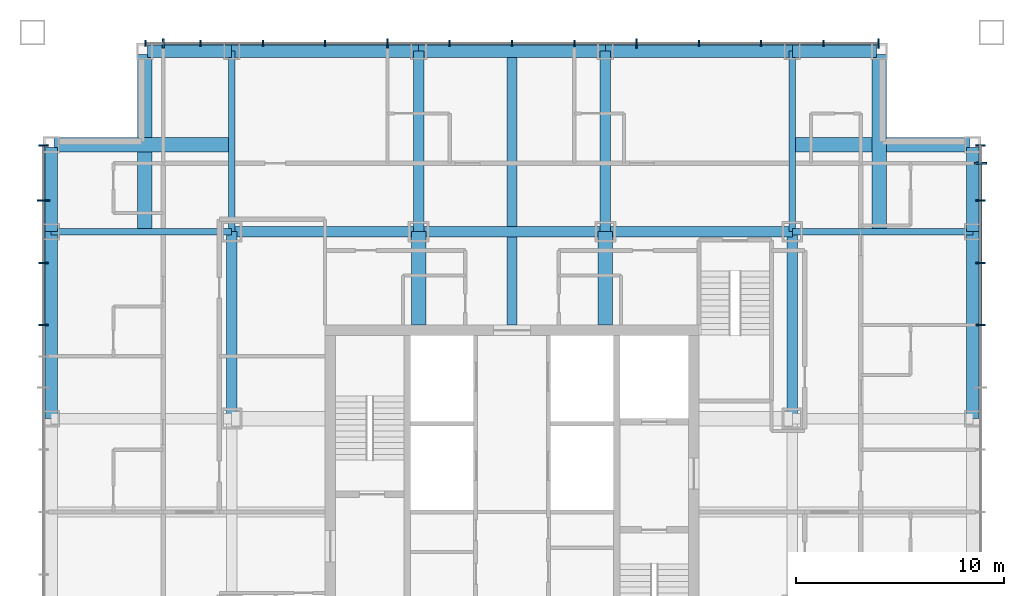
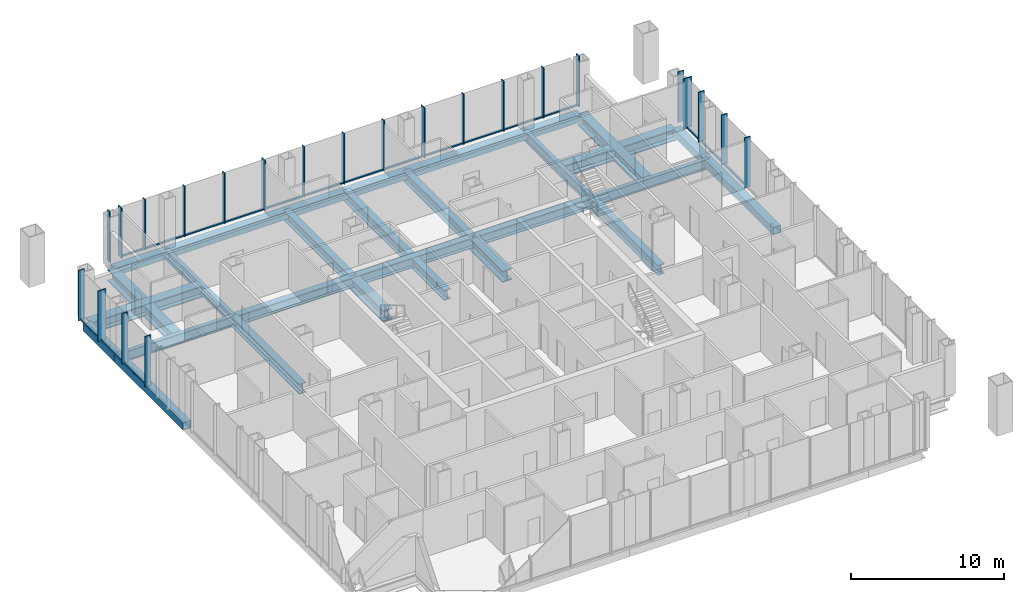
# One storey, part 4 of 11: 41 members, 27 beams, 3 elements without a shape of their own.
"""IFC4 building model written with IfcOpenShell, lengths in metres."""

from ifc_helpers import new_model, si_unit, direction, frame, origin, origin_2d, place, context, subcontext, project, spatial, rectangle, hollow_rectangle, i_section, extrude, material, layer, layer_set, material_profile, profile_set, type_object, element, aggregate, save


model = new_model("IFC4")

# Units and contexts
model_context = context("Model", 3, precision=1e-05, world=origin(), true_north=direction((0.0, 1.0)))
body_context = subcontext(model_context, "Body", "Model", "MODEL_VIEW")
ifc_project = project(units=[si_unit("LENGTHUNIT", "METRE"), si_unit("AREAUNIT", "SQUARE_METRE"), si_unit("VOLUMEUNIT", "CUBIC_METRE"), si_unit("PLANEANGLEUNIT", "RADIAN"), si_unit("MASSUNIT", "GRAM", prefix="KILO")], contexts=[model_context])

# Site, building, storey
site_placement = place(None, origin())
site = spatial("IfcSite", under=ifc_project, at=site_placement, CompositionType="ELEMENT")
building_placement = place(site_placement, origin())
building = spatial("IfcBuilding", under=site, at=building_placement, Name="Malebo Sky Hospital", CompositionType="ELEMENT")
storey_placement = place(building_placement, frame((0.0, 0.0, 213.0)))
storey = spatial("IfcBuildingStorey", under=building, at=storey_placement, Name="L51", CompositionType="ELEMENT", Elevation=213.0)

# Curtain wall, members
ifc_material_1 = material(Name="Anodised aluminium, natural silver", Category="aluminium")
ifc_layer_1 = layer(ifc_material_1, 0.25)
ifc_layer_set_1 = layer_set([ifc_layer_1], Name="WARD CURTAIN WALL NORTH AND SOUTH")
curtain_wall_type_1 = type_object("IfcCurtainWallType", Name="WARD CURTAIN WALL NORTH AND SOUTH", PredefinedType="NOTDEFINED", material=ifc_layer_set_1)
curtain_wall_1_placement = place(storey_placement, origin())
curtain_wall_1 = element("IfcCurtainWall", 1, at=curtain_wall_1_placement, inside=storey, type_object=curtain_wall_type_1, Name="NS curtain wall N", PredefinedType="NOTDEFINED")
ifc_material_profile_1 = material_profile(ifc_material_1, rectangle(XDim=0.14990234375, YDim=0.10009765625, at=origin_2d()), Name="ALUMINIUM TRANSOM 150x100")
ifc_profile_set_1 = profile_set([ifc_material_profile_1], Name="Anodised aluminium, natural silver")
member_type_1 = type_object("IfcMemberType", Name="ALUMINIUM TRANSOM 150x100", PredefinedType="USERDEFINED", material=ifc_profile_set_1)
member_1_placement = place(storey_placement, frame((43.237548828125, 84.574951171875, 0.050048828125), z_axis=(1.0, 0.0, 0.0), x_axis=(0.0, 1.0, 0.0)))
member_1 = element("IfcMember", 2, at=member_1_placement, type_object=member_type_1, Name="Transom 2", ObjectType="TRANSOM", PredefinedType="USERDEFINED", context=body_context, shape_type="SweptSolid", body=[
    extrude(rectangle(XDim=0.14990234375, YDim=0.10009765625, at=origin_2d()), origin(), (0.0, 0.0, 1.0), 1.724853515625),
])
member_2_placement = place(storey_placement, frame((45.03759765625, 84.574951171875, 0.050048828125), z_axis=(1.0, 0.0, 0.0), x_axis=(0.0, 1.0, 0.0)))
member_2 = element("IfcMember", 3, at=member_2_placement, type_object=member_type_1, Name="Transom 3", ObjectType="TRANSOM", PredefinedType="USERDEFINED", context=body_context, shape_type="SweptSolid", body=[
    extrude(rectangle(XDim=0.14990234375, YDim=0.10009765625, at=origin_2d()), origin(), (0.0, 0.0, 1.0), 2.9248046875),
])
member_3_placement = place(storey_placement, frame((48.03759765625, 84.574951171875, 0.050048828125), z_axis=(1.0, 0.0, 0.0), x_axis=(0.0, 1.0, 0.0)))
member_3 = element("IfcMember", 4, at=member_3_placement, type_object=member_type_1, Name="Transom 4", ObjectType="TRANSOM", PredefinedType="USERDEFINED", context=body_context, shape_type="SweptSolid", body=[
    extrude(rectangle(XDim=0.14990234375, YDim=0.10009765625, at=origin_2d()), origin(), (0.0, 0.0, 1.0), 2.9248046875),
])
member_4_placement = place(storey_placement, frame((51.03759765625, 84.574951171875, 0.050048828125), z_axis=(1.0, 0.0, 0.0), x_axis=(0.0, 1.0, 0.0)))
member_4 = element("IfcMember", 5, at=member_4_placement, type_object=member_type_1, Name="Transom 5", ObjectType="TRANSOM", PredefinedType="USERDEFINED", context=body_context, shape_type="SweptSolid", body=[
    extrude(rectangle(XDim=0.14990234375, YDim=0.10009765625, at=origin_2d()), origin(), (0.0, 0.0, 1.0), 2.9248046875),
])
member_5_placement = place(storey_placement, frame((54.03759765625, 84.574951171875, 0.050048828125), z_axis=(1.0, 0.0, 0.0), x_axis=(0.0, 1.0, 0.0)))
member_5 = element("IfcMember", 6, at=member_5_placement, type_object=member_type_1, Name="Transom 6", ObjectType="TRANSOM", PredefinedType="USERDEFINED", context=body_context, shape_type="SweptSolid", body=[
    extrude(rectangle(XDim=0.14990234375, YDim=0.10009765625, at=origin_2d()), origin(), (0.0, 0.0, 1.0), 2.9248046875),
])
member_6_placement = place(storey_placement, frame((57.03759765625, 84.574951171875, 0.050048828125), z_axis=(1.0, 0.0, 0.0), x_axis=(0.0, 1.0, 0.0)))
member_6 = element("IfcMember", 7, at=member_6_placement, type_object=member_type_1, Name="Transom 7", ObjectType="TRANSOM", PredefinedType="USERDEFINED", context=body_context, shape_type="SweptSolid", body=[
    extrude(rectangle(XDim=0.14990234375, YDim=0.10009765625, at=origin_2d()), origin(), (0.0, 0.0, 1.0), 2.9248046875),
])
member_7_placement = place(storey_placement, frame((60.03759765625, 84.574951171875, 0.050048828125), z_axis=(1.0, 0.0, 0.0), x_axis=(0.0, 1.0, 0.0)))
member_7 = element("IfcMember", 8, at=member_7_placement, type_object=member_type_1, Name="Transom 8", ObjectType="TRANSOM", PredefinedType="USERDEFINED", context=body_context, shape_type="SweptSolid", body=[
    extrude(rectangle(XDim=0.14990234375, YDim=0.10009765625, at=origin_2d()), origin(), (0.0, 0.0, 1.0), 2.9248046875),
])
member_8_placement = place(storey_placement, frame((63.03759765625, 84.574951171875, 0.050048828125), z_axis=(1.0, 0.0, 0.0), x_axis=(0.0, 1.0, 0.0)))
member_8 = element("IfcMember", 9, at=member_8_placement, type_object=member_type_1, Name="Transom 9", ObjectType="TRANSOM", PredefinedType="USERDEFINED", context=body_context, shape_type="SweptSolid", body=[
    extrude(rectangle(XDim=0.14990234375, YDim=0.10009765625, at=origin_2d()), origin(), (0.0, 0.0, 1.0), 2.9248046875),
])
member_9_placement = place(storey_placement, frame((66.03759765625, 84.574951171875, 0.050048828125), z_axis=(1.0, 0.0, 0.0), x_axis=(0.0, 1.0, 0.0)))
member_9 = element("IfcMember", 10, at=member_9_placement, type_object=member_type_1, Name="Transom 10", ObjectType="TRANSOM", PredefinedType="USERDEFINED", context=body_context, shape_type="SweptSolid", body=[
    extrude(rectangle(XDim=0.14990234375, YDim=0.10009765625, at=origin_2d()), origin(), (0.0, 0.0, 1.0), 2.9248046875),
])
member_10_placement = place(storey_placement, frame((69.03759765625, 84.574951171875, 0.050048828125), z_axis=(1.0, 0.0, 0.0), x_axis=(0.0, 1.0, 0.0)))
member_10 = element("IfcMember", 11, at=member_10_placement, type_object=member_type_1, Name="Transom 11", ObjectType="TRANSOM", PredefinedType="USERDEFINED", context=body_context, shape_type="SweptSolid", body=[
    extrude(rectangle(XDim=0.14990234375, YDim=0.10009765625, at=origin_2d()), origin(), (0.0, 0.0, 1.0), 2.9248046875),
])
member_11_placement = place(storey_placement, frame((72.03759765625, 84.574951171875, 0.050048828125), z_axis=(1.0, 0.0, 0.0), x_axis=(0.0, 1.0, 0.0)))
member_11 = element("IfcMember", 12, at=member_11_placement, type_object=member_type_1, Name="Transom 12", ObjectType="TRANSOM", PredefinedType="USERDEFINED", context=body_context, shape_type="SweptSolid", body=[
    extrude(rectangle(XDim=0.14990234375, YDim=0.10009765625, at=origin_2d()), origin(), (0.0, 0.0, 1.0), 2.9248046875),
])
member_12_placement = place(storey_placement, frame((75.03759765625, 84.574951171875, 0.050048828125), z_axis=(1.0, 0.0, 0.0), x_axis=(0.0, 1.0, 0.0)))
member_12 = element("IfcMember", 13, at=member_12_placement, type_object=member_type_1, Name="Transom 13", ObjectType="TRANSOM", PredefinedType="USERDEFINED", context=body_context, shape_type="SweptSolid", body=[
    extrude(rectangle(XDim=0.14990234375, YDim=0.10009765625, at=origin_2d()), origin(), (0.0, 0.0, 1.0), 2.58740234375),
])

ifc_layer_2 = layer(ifc_material_1, 0.25)
ifc_layer_set_2 = layer_set([ifc_layer_2], Name="WARD CURTAIN WALL EAST AND WEST")
curtain_wall_type_2 = type_object("IfcCurtainWallType", Name="WARD CURTAIN WALL EAST AND WEST", PredefinedType="NOTDEFINED", material=ifc_layer_set_2)
curtain_wall_2_placement = place(storey_placement, origin())
curtain_wall_2 = element("IfcCurtainWall", 14, at=curtain_wall_2_placement, inside=storey, type_object=curtain_wall_type_2, Name="EW curtain wall W", PredefinedType="NOTDEFINED")
member_13_placement = place(storey_placement, frame((37.425048828125, 71.03759765625, 0.050048828125), z_axis=(0.0, 1.0, 0.0), x_axis=(-1.0, 0.0, 0.0)))
member_13 = element("IfcMember", 15, at=member_13_placement, type_object=member_type_1, Name="Transom 12", ObjectType="TRANSOM", PredefinedType="USERDEFINED", context=body_context, shape_type="SweptSolid", body=[
    extrude(rectangle(XDim=0.14990234375, YDim=0.10009765625, at=origin_2d()), origin(), (0.0, 0.0, 1.0), 2.9248046875),
])
member_14_placement = place(storey_placement, frame((37.425048828125, 74.03759765625, 0.050048828125), z_axis=(0.0, 1.0, 0.0), x_axis=(-1.0, 0.0, 0.0)))
member_14 = element("IfcMember", 16, at=member_14_placement, type_object=member_type_1, Name="Transom 13", ObjectType="TRANSOM", PredefinedType="USERDEFINED", context=body_context, shape_type="SweptSolid", body=[
    extrude(rectangle(XDim=0.14990234375, YDim=0.10009765625, at=origin_2d()), origin(), (0.0, 0.0, 1.0), 2.9248046875),
])
member_15_placement = place(storey_placement, frame((37.425048828125, 77.03759765625, 0.050048828125), z_axis=(0.0, 1.0, 0.0), x_axis=(-1.0, 0.0, 0.0)))
member_15 = element("IfcMember", 17, at=member_15_placement, type_object=member_type_1, Name="Transom 14", ObjectType="TRANSOM", PredefinedType="USERDEFINED", context=body_context, shape_type="SweptSolid", body=[
    extrude(rectangle(XDim=0.14990234375, YDim=0.10009765625, at=origin_2d()), origin(), (0.0, 0.0, 1.0), 2.58740234375),
])

curtain_wall_3_placement = place(storey_placement, origin())
curtain_wall_3 = element("IfcCurtainWall", 18, at=curtain_wall_3_placement, inside=storey, type_object=curtain_wall_type_2, Name="EW curtain wall E", PredefinedType="NOTDEFINED")
member_16_placement = place(storey_placement, frame((82.574951171875, 78.762451171875, 0.050048828125), z_axis=(0.0, -1.0, 0.0), x_axis=(1.0, 0.0, 0.0)))
member_16 = element("IfcMember", 19, at=member_16_placement, type_object=member_type_1, Name="Transom 2", ObjectType="TRANSOM", PredefinedType="USERDEFINED", context=body_context, shape_type="SweptSolid", body=[
    extrude(rectangle(XDim=0.14990234375, YDim=0.10009765625, at=origin_2d()), origin(), (0.0, 0.0, 1.0), 1.724853515625),
])
member_17_placement = place(storey_placement, frame((82.574951171875, 76.96240234375, 0.050048828125), z_axis=(0.0, -1.0, 0.0), x_axis=(1.0, 0.0, 0.0)))
member_17 = element("IfcMember", 20, at=member_17_placement, type_object=member_type_1, Name="Transom 3", ObjectType="TRANSOM", PredefinedType="USERDEFINED", context=body_context, shape_type="SweptSolid", body=[
    extrude(rectangle(XDim=0.14990234375, YDim=0.10009765625, at=origin_2d()), origin(), (0.0, 0.0, 1.0), 2.9248046875),
])
member_18_placement = place(storey_placement, frame((82.574951171875, 73.96240234375, 0.050048828125), z_axis=(0.0, -1.0, 0.0), x_axis=(1.0, 0.0, 0.0)))
member_18 = element("IfcMember", 21, at=member_18_placement, type_object=member_type_1, Name="Transom 4", ObjectType="TRANSOM", PredefinedType="USERDEFINED", context=body_context, shape_type="SweptSolid", body=[
    extrude(rectangle(XDim=0.14990234375, YDim=0.10009765625, at=origin_2d()), origin(), (0.0, 0.0, 1.0), 2.9248046875),
])

# Member
ifc_material_profile_2 = material_profile(ifc_material_1, rectangle(XDim=0.074951171875, YDim=0.300048828125, at=origin_2d()), Name="CW1 ALUMINIUM FIN MULLION 75x300")
ifc_profile_set_2 = profile_set([ifc_material_profile_2], Name="Anodised aluminium, natural silver")
member_type_2 = type_object("IfcMemberType", Name="CW1 ALUMINIUM FIN MULLION 75x300", PredefinedType="MULLION", material=ifc_profile_set_2)
member_19_placement = place(storey_placement, frame((42.33740234375, 84.574951171875, 0.0), z_axis=(0.0, 0.0, 1.0), x_axis=(1.0, 0.0, 0.0)))
member_19 = element("IfcMember", 22, at=member_19_placement, type_object=member_type_2, Name="Fin mullion 1", PredefinedType="MULLION", context=body_context, shape_type="SweptSolid", body=[
    extrude(rectangle(XDim=0.074951171875, YDim=0.300048828125, at=origin_2d()), origin(), (0.0, 0.0, 1.0), 4.0),
])

member_20_placement = place(storey_placement, frame((45.0, 84.574951171875, 0.0), z_axis=(0.0, 0.0, 1.0), x_axis=(1.0, 0.0, 0.0)))
member_20 = element("IfcMember", 23, at=member_20_placement, type_object=member_type_2, Name="Fin mullion 3", PredefinedType="MULLION", context=body_context, shape_type="SweptSolid", body=[
    extrude(rectangle(XDim=0.074951171875, YDim=0.300048828125, at=origin_2d()), origin(), (0.0, 0.0, 1.0), 4.0),
])

member_21_placement = place(storey_placement, frame((48.0, 84.574951171875, 0.0), z_axis=(0.0, 0.0, 1.0), x_axis=(1.0, 0.0, 0.0)))
member_21 = element("IfcMember", 24, at=member_21_placement, type_object=member_type_2, Name="Fin mullion 4", PredefinedType="MULLION", context=body_context, shape_type="SweptSolid", body=[
    extrude(rectangle(XDim=0.074951171875, YDim=0.300048828125, at=origin_2d()), origin(), (0.0, 0.0, 1.0), 4.0),
])

member_22_placement = place(storey_placement, frame((51.0, 84.574951171875, 0.0), z_axis=(0.0, 0.0, 1.0), x_axis=(1.0, 0.0, 0.0)))
member_22 = element("IfcMember", 25, at=member_22_placement, type_object=member_type_2, Name="Fin mullion 5", PredefinedType="MULLION", context=body_context, shape_type="SweptSolid", body=[
    extrude(rectangle(XDim=0.074951171875, YDim=0.300048828125, at=origin_2d()), origin(), (0.0, 0.0, 1.0), 4.0),
])

member_23_placement = place(storey_placement, frame((57.0, 84.574951171875, 0.0), z_axis=(0.0, 0.0, 1.0), x_axis=(1.0, 0.0, 0.0)))
member_23 = element("IfcMember", 26, at=member_23_placement, type_object=member_type_2, Name="Fin mullion 7", PredefinedType="MULLION", context=body_context, shape_type="SweptSolid", body=[
    extrude(rectangle(XDim=0.074951171875, YDim=0.300048828125, at=origin_2d()), origin(), (0.0, 0.0, 1.0), 4.0),
])

member_24_placement = place(storey_placement, frame((60.0, 84.574951171875, 0.0), z_axis=(0.0, 0.0, 1.0), x_axis=(1.0, 0.0, 0.0)))
member_24 = element("IfcMember", 27, at=member_24_placement, type_object=member_type_2, Name="Fin mullion 8", PredefinedType="MULLION", context=body_context, shape_type="SweptSolid", body=[
    extrude(rectangle(XDim=0.074951171875, YDim=0.300048828125, at=origin_2d()), origin(), (0.0, 0.0, 1.0), 4.0),
])

member_25_placement = place(storey_placement, frame((63.0, 84.574951171875, 0.0), z_axis=(0.0, 0.0, 1.0), x_axis=(1.0, 0.0, 0.0)))
member_25 = element("IfcMember", 28, at=member_25_placement, type_object=member_type_2, Name="Fin mullion 9", PredefinedType="MULLION", context=body_context, shape_type="SweptSolid", body=[
    extrude(rectangle(XDim=0.074951171875, YDim=0.300048828125, at=origin_2d()), origin(), (0.0, 0.0, 1.0), 4.0),
])

member_26_placement = place(storey_placement, frame((69.0, 84.574951171875, 0.0), z_axis=(0.0, 0.0, 1.0), x_axis=(1.0, 0.0, 0.0)))
member_26 = element("IfcMember", 29, at=member_26_placement, type_object=member_type_2, Name="Fin mullion 11", PredefinedType="MULLION", context=body_context, shape_type="SweptSolid", body=[
    extrude(rectangle(XDim=0.074951171875, YDim=0.300048828125, at=origin_2d()), origin(), (0.0, 0.0, 1.0), 4.0),
])

member_27_placement = place(storey_placement, frame((72.0, 84.574951171875, 0.0), z_axis=(0.0, 0.0, 1.0), x_axis=(1.0, 0.0, 0.0)))
member_27 = element("IfcMember", 30, at=member_27_placement, type_object=member_type_2, Name="Fin mullion 12", PredefinedType="MULLION", context=body_context, shape_type="SweptSolid", body=[
    extrude(rectangle(XDim=0.074951171875, YDim=0.300048828125, at=origin_2d()), origin(), (0.0, 0.0, 1.0), 4.0),
])

member_28_placement = place(storey_placement, frame((75.0, 84.574951171875, 0.0), z_axis=(0.0, 0.0, 1.0), x_axis=(1.0, 0.0, 0.0)))
member_28 = element("IfcMember", 31, at=member_28_placement, type_object=member_type_2, Name="Fin mullion 13", PredefinedType="MULLION", context=body_context, shape_type="SweptSolid", body=[
    extrude(rectangle(XDim=0.074951171875, YDim=0.300048828125, at=origin_2d()), origin(), (0.0, 0.0, 1.0), 4.0),
])

ifc_material_profile_3 = material_profile(ifc_material_1, rectangle(XDim=0.074951171875, YDim=0.449951171875, at=origin_2d()), Name="CW1 ALUMINIUM FIN MULLION 75x450")
ifc_profile_set_3 = profile_set([ifc_material_profile_3], Name="Anodised aluminium, natural silver")
member_type_3 = type_object("IfcMemberType", Name="CW1 ALUMINIUM FIN MULLION 75x450", PredefinedType="MULLION", material=ifc_profile_set_3)
member_29_placement = place(storey_placement, frame((43.199951171875, 84.574951171875, 0.0), z_axis=(0.0, 0.0, 1.0), x_axis=(1.0, 0.0, 0.0)))
member_29 = element("IfcMember", 32, at=member_29_placement, type_object=member_type_3, Name="Fin mullion 2", PredefinedType="MULLION", context=body_context, shape_type="SweptSolid", body=[
    extrude(rectangle(XDim=0.074951171875, YDim=0.449951171875, at=origin_2d()), origin(), (0.0, 0.0, 1.0), 4.0),
])

member_30_placement = place(storey_placement, frame((54.0, 84.574951171875, 0.0), z_axis=(0.0, 0.0, 1.0), x_axis=(1.0, 0.0, 0.0)))
member_30 = element("IfcMember", 33, at=member_30_placement, type_object=member_type_3, Name="Fin mullion 6", PredefinedType="MULLION", context=body_context, shape_type="SweptSolid", body=[
    extrude(rectangle(XDim=0.074951171875, YDim=0.449951171875, at=origin_2d()), origin(), (0.0, 0.0, 1.0), 4.0),
])

member_31_placement = place(storey_placement, frame((66.0, 84.574951171875, 0.0), z_axis=(0.0, 0.0, 1.0), x_axis=(1.0, 0.0, 0.0)))
member_31 = element("IfcMember", 34, at=member_31_placement, type_object=member_type_3, Name="Fin mullion 10", PredefinedType="MULLION", context=body_context, shape_type="SweptSolid", body=[
    extrude(rectangle(XDim=0.074951171875, YDim=0.449951171875, at=origin_2d()), origin(), (0.0, 0.0, 1.0), 4.0),
])

member_32_placement = place(storey_placement, frame((77.66259765625, 84.574951171875, 0.0), z_axis=(0.0, 0.0, 1.0), x_axis=(1.0, 0.0, 0.0)))
member_32 = element("IfcMember", 35, at=member_32_placement, type_object=member_type_3, Name="Fin mullion 14", PredefinedType="MULLION", context=body_context, shape_type="SweptSolid", body=[
    extrude(rectangle(XDim=0.074951171875, YDim=0.449951171875, at=origin_2d()), origin(), (0.0, 0.0, 1.0), 4.0),
])

aggregate(curtain_wall_1, [member_19, member_29, member_20, member_21, member_22, member_30, member_23, member_24, member_25, member_31, member_26, member_27, member_28, member_32, member_1, member_2, member_3, member_4, member_5, member_6, member_7, member_8, member_9, member_10, member_11, member_12])

ifc_material_profile_4 = material_profile(ifc_material_1, rectangle(XDim=0.074951171875, YDim=0.449951171875, at=origin_2d()), Name="CW2 ALUMINIUM FIN MULLION 75x450")
ifc_profile_set_4 = profile_set([ifc_material_profile_4], Name="Anodised aluminium, natural silver")
member_type_4 = type_object("IfcMemberType", Name="CW2 ALUMINIUM FIN MULLION 75x450", PredefinedType="MULLION", material=ifc_profile_set_4)
member_33_placement = place(storey_placement, frame((37.425048828125, 71.0, 0.0), z_axis=(0.0, 0.0, 1.0), x_axis=(0.0, 1.0, 0.0)))
member_33 = element("IfcMember", 36, at=member_33_placement, type_object=member_type_4, Name="Fin mullion 12", PredefinedType="MULLION", context=body_context, shape_type="SweptSolid", body=[
    extrude(rectangle(XDim=0.074951171875, YDim=0.449951171875, at=origin_2d()), origin(), (0.0, 0.0, 1.0), 4.0),
])

member_34_placement = place(storey_placement, frame((37.425048828125, 74.0, 0.0), z_axis=(0.0, 0.0, 1.0), x_axis=(0.0, 1.0, 0.0)))
member_34 = element("IfcMember", 37, at=member_34_placement, type_object=member_type_4, Name="Fin mullion 13", PredefinedType="MULLION", context=body_context, shape_type="SweptSolid", body=[
    extrude(rectangle(XDim=0.074951171875, YDim=0.449951171875, at=origin_2d()), origin(), (0.0, 0.0, 1.0), 4.0),
])

member_35_placement = place(storey_placement, frame((37.425048828125, 79.66259765625, 0.0), z_axis=(0.0, 0.0, 1.0), x_axis=(0.0, 1.0, 0.0)))
member_35 = element("IfcMember", 38, at=member_35_placement, type_object=member_type_4, Name="Fin mullion 15", PredefinedType="MULLION", context=body_context, shape_type="SweptSolid", body=[
    extrude(rectangle(XDim=0.074951171875, YDim=0.449951171875, at=origin_2d()), origin(), (0.0, 0.0, 1.0), 4.0),
])

member_36_placement = place(storey_placement, frame((82.574951171875, 79.66259765625, 0.0), z_axis=(0.0, 0.0, 1.0), x_axis=(0.0, -1.0, 0.0)))
member_36 = element("IfcMember", 39, at=member_36_placement, type_object=member_type_4, Name="Fin mullion 1", PredefinedType="MULLION", context=body_context, shape_type="SweptSolid", body=[
    extrude(rectangle(XDim=0.074951171875, YDim=0.449951171875, at=origin_2d()), origin(), (0.0, 0.0, 1.0), 4.0),
])

member_37_placement = place(storey_placement, frame((82.574951171875, 77.0, 0.0), z_axis=(0.0, 0.0, 1.0), x_axis=(0.0, -1.0, 0.0)))
member_37 = element("IfcMember", 40, at=member_37_placement, type_object=member_type_4, Name="Fin mullion 3", PredefinedType="MULLION", context=body_context, shape_type="SweptSolid", body=[
    extrude(rectangle(XDim=0.074951171875, YDim=0.449951171875, at=origin_2d()), origin(), (0.0, 0.0, 1.0), 4.0),
])

member_38_placement = place(storey_placement, frame((82.574951171875, 74.0, 0.0), z_axis=(0.0, 0.0, 1.0), x_axis=(0.0, -1.0, 0.0)))
member_38 = element("IfcMember", 41, at=member_38_placement, type_object=member_type_4, Name="Fin mullion 4", PredefinedType="MULLION", context=body_context, shape_type="SweptSolid", body=[
    extrude(rectangle(XDim=0.074951171875, YDim=0.449951171875, at=origin_2d()), origin(), (0.0, 0.0, 1.0), 4.0),
])

member_39_placement = place(storey_placement, frame((82.574951171875, 71.0, 0.0), z_axis=(0.0, 0.0, 1.0), x_axis=(0.0, -1.0, 0.0)))
member_39 = element("IfcMember", 42, at=member_39_placement, type_object=member_type_4, Name="Fin mullion 5", PredefinedType="MULLION", context=body_context, shape_type="SweptSolid", body=[
    extrude(rectangle(XDim=0.074951171875, YDim=0.449951171875, at=origin_2d()), origin(), (0.0, 0.0, 1.0), 4.0),
])

ifc_material_profile_5 = material_profile(ifc_material_1, rectangle(XDim=0.074951171875, YDim=0.60009765625, at=origin_2d()), Name="CW2 ALUMINIUM FIN MULLION 75x600")
ifc_profile_set_5 = profile_set([ifc_material_profile_5], Name="Anodised aluminium, natural silver")
member_type_5 = type_object("IfcMemberType", Name="CW2 ALUMINIUM FIN MULLION 75x600", PredefinedType="MULLION", material=ifc_profile_set_5)
member_40_placement = place(storey_placement, frame((37.425048828125, 77.0, 0.0), z_axis=(0.0, 0.0, 1.0), x_axis=(0.0, 1.0, 0.0)))
member_40 = element("IfcMember", 43, at=member_40_placement, type_object=member_type_5, Name="Fin mullion 14", PredefinedType="MULLION", context=body_context, shape_type="SweptSolid", body=[
    extrude(rectangle(XDim=0.074951171875, YDim=0.60009765625, at=origin_2d()), origin(), (0.0, 0.0, 1.0), 4.0),
])

aggregate(curtain_wall_2, [member_33, member_34, member_40, member_35, member_13, member_14, member_15])

member_41_placement = place(storey_placement, frame((82.574951171875, 78.800048828125, 0.0), z_axis=(0.0, 0.0, 1.0), x_axis=(0.0, -1.0, 0.0)))
member_41 = element("IfcMember", 44, at=member_41_placement, type_object=member_type_5, Name="Fin mullion 2", PredefinedType="MULLION", context=body_context, shape_type="SweptSolid", body=[
    extrude(rectangle(XDim=0.074951171875, YDim=0.60009765625, at=origin_2d()), origin(), (0.0, 0.0, 1.0), 4.0),
])

aggregate(curtain_wall_3, [member_36, member_41, member_37, member_38, member_39, member_16, member_17, member_18])

# Beams
ifc_material_2 = material(Name="Steel S460", Category="steel")
ifc_material_profile_6 = material_profile(ifc_material_2, hollow_rectangle(XDim=0.60009765625, YDim=0.60009765625, WallThickness=0.0400390625, at=origin_2d()), Name="BOX 600x600x40")
ifc_profile_set_6 = profile_set([ifc_material_profile_6], Name="Steel S460")
beam_type_1 = type_object("IfcBeamType", Name="EDGE BEAM BOX 600x600x40", PredefinedType="BEAM", material=ifc_profile_set_6)
beam_1_placement = place(storey_placement, frame((37.800048828125, 66.5, -0.550048828125), z_axis=(0.0, 1.0, 0.0), x_axis=(-1.0, 0.0, 0.0)))
element("IfcBeam", 45, at=beam_1_placement, inside=storey, type_object=beam_type_1, Name="Beam 003 L51", PredefinedType="BEAM", context=body_context, shape_type="SweptSolid", body=[
    extrude(hollow_rectangle(XDim=0.60009765625, YDim=0.60009765625, WallThickness=0.0400390625, at=origin_2d()), origin(), (0.0, 0.0, 1.0), 9.0),
])
beam_2_placement = place(storey_placement, frame((37.800048828125, 75.5, -0.550048828125), z_axis=(0.0, 1.0, 0.0), x_axis=(-1.0, 0.0, 0.0)))
element("IfcBeam", 46, at=beam_2_placement, inside=storey, type_object=beam_type_1, Name="Beam 004 L51", PredefinedType="BEAM", context=body_context, shape_type="SweptSolid", body=[
    extrude(hollow_rectangle(XDim=0.60009765625, YDim=0.60009765625, WallThickness=0.0400390625, at=origin_2d()), origin(), (0.0, 0.0, 1.0), 4.050048828125),
])
beam_3_placement = place(storey_placement, frame((82.199951171875, 66.5, -0.550048828125), z_axis=(0.0, 1.0, 0.0), x_axis=(-1.0, 0.0, 0.0)))
element("IfcBeam", 47, at=beam_3_placement, inside=storey, type_object=beam_type_1, Name="Beam 032 L51", PredefinedType="BEAM", context=body_context, shape_type="SweptSolid", body=[
    extrude(hollow_rectangle(XDim=0.60009765625, YDim=0.60009765625, WallThickness=0.0400390625, at=origin_2d()), origin(), (0.0, 0.0, 1.0), 9.0),
])
for number, where, z_axis, x_axis, name in (
    (48, (82.199951171875, 75.5, -0.550048828125), (0.0, 1.0, 0.0), (-1.0, 0.0, 0.0), "Beam 033 L51"),
    (49, (42.449951171875, 84.199951171875, -0.550048828125), (1.0, 0.0, 0.0), (0.0, 1.0, 0.0), "Beam 063 L51"),
):
    element("IfcBeam", number, at=place(storey_placement, frame(where, z_axis=z_axis, x_axis=x_axis)), inside=storey, type_object=beam_type_1, Name=name, PredefinedType="BEAM", context=body_context, shape_type="SweptSolid", body=[
        extrude(hollow_rectangle(XDim=0.60009765625, YDim=0.60009765625, WallThickness=0.0400390625, at=origin_2d()), origin(), (0.0, 0.0, 1.0), 4.050048828125),
    ])
for number, where, z_axis, x_axis, name in (
    (50, (46.5, 84.199951171875, -0.550048828125), (1.0, 0.0, 0.0), (0.0, 1.0, 0.0), "Beam 064 L51"),
    (51, (55.5, 84.199951171875, -0.550048828125), (1.0, 0.0, 0.0), (0.0, 1.0, 0.0), "Beam 065 L51"),
    (52, (64.5, 84.199951171875, -0.550048828125), (1.0, 0.0, 0.0), (0.0, 1.0, 0.0), "Beam 066 L51"),
):
    element("IfcBeam", number, at=place(storey_placement, frame(where, z_axis=z_axis, x_axis=x_axis)), inside=storey, type_object=beam_type_1, Name=name, PredefinedType="BEAM", context=body_context, shape_type="SweptSolid", body=[
        extrude(hollow_rectangle(XDim=0.60009765625, YDim=0.60009765625, WallThickness=0.0400390625, at=origin_2d()), origin(), (0.0, 0.0, 1.0), 9.0),
    ])
beam_4_placement = place(storey_placement, frame((73.5, 84.199951171875, -0.550048828125), z_axis=(1.0, 0.0, 0.0), x_axis=(0.0, 1.0, 0.0)))
element("IfcBeam", 53, at=beam_4_placement, inside=storey, type_object=beam_type_1, Name="Beam 067 L51", PredefinedType="BEAM", context=body_context, shape_type="SweptSolid", body=[
    extrude(hollow_rectangle(XDim=0.60009765625, YDim=0.60009765625, WallThickness=0.0400390625, at=origin_2d()), origin(), (0.0, 0.0, 1.0), 4.050048828125),
])
ifc_material_3 = material(Name="Steel S355", Category="steel")
ifc_material_profile_7 = material_profile(ifc_material_3, i_section(OverallWidth=0.5, OverallDepth=0.800048828125, WebThickness=0.030029296875, FlangeThickness=0.050048828125, at=origin_2d()), Name="PG 800x500x30x50")
ifc_profile_set_7 = profile_set([ifc_material_profile_7], Name="Steel S355")
beam_type_2 = type_object("IfcBeamType", Name="FLOOR BEAM PG 800x500x30x50", PredefinedType="BEAM", material=ifc_profile_set_7)
beam_5_placement = place(storey_placement, frame((46.5, 66.5, -0.64990234375), z_axis=(0.0, 1.0, 0.0), x_axis=(-1.0, 0.0, 0.0)))
element("IfcBeam", 54, at=beam_5_placement, inside=storey, type_object=beam_type_2, Name="Beam 010 L51", PredefinedType="BEAM", context=body_context, shape_type="SweptSolid", body=[
    extrude(i_section(OverallWidth=0.5, OverallDepth=0.800048828125, WebThickness=0.030029296875, FlangeThickness=0.050048828125, at=origin_2d()), origin(), (0.0, 0.0, 1.0), 9.0),
])
beam_6_placement = place(storey_placement, frame((55.5, 75.5, -0.64990234375), z_axis=(0.0, 1.0, 0.0), x_axis=(-1.0, 0.0, 0.0)))
element("IfcBeam", 55, at=beam_6_placement, inside=storey, type_object=beam_type_2, Name="Beam 015 L51", PredefinedType="BEAM", context=body_context, shape_type="SweptSolid", body=[
    extrude(i_section(OverallWidth=0.5, OverallDepth=0.800048828125, WebThickness=0.030029296875, FlangeThickness=0.050048828125, at=origin_2d()), origin(), (0.0, 0.0, 1.0), 8.699951171875),
])
beam_7_placement = place(storey_placement, frame((60.0, 71.0, -0.64990234375), z_axis=(0.0, 1.0, 0.0), x_axis=(-1.0, 0.0, 0.0)))
element("IfcBeam", 56, at=beam_7_placement, inside=storey, type_object=beam_type_2, Name="Beam 017 L51", PredefinedType="BEAM", context=body_context, shape_type="SweptSolid", body=[
    extrude(i_section(OverallWidth=0.5, OverallDepth=0.800048828125, WebThickness=0.030029296875, FlangeThickness=0.050048828125, at=origin_2d()), origin(), (0.0, 0.0, 1.0), 13.199951171875),
])
beam_8_placement = place(storey_placement, frame((64.5, 75.5, -0.64990234375), z_axis=(0.0, 1.0, 0.0), x_axis=(-1.0, 0.0, 0.0)))
element("IfcBeam", 57, at=beam_8_placement, inside=storey, type_object=beam_type_2, Name="Beam 021 L51", PredefinedType="BEAM", context=body_context, shape_type="SweptSolid", body=[
    extrude(i_section(OverallWidth=0.5, OverallDepth=0.800048828125, WebThickness=0.030029296875, FlangeThickness=0.050048828125, at=origin_2d()), origin(), (0.0, 0.0, 1.0), 8.699951171875),
])
for number, where, z_axis, x_axis, name in (
    (58, (73.5, 66.5, -0.64990234375), (0.0, 1.0, 0.0), (-1.0, 0.0, 0.0), "Beam 025 L51"),
    (59, (46.5, 75.5, -0.64990234375), (1.0, 0.0, 0.0), (0.0, 1.0, 0.0), "Beam 057 L51"),
    (60, (64.5, 75.5, -0.64990234375), (1.0, 0.0, 0.0), (0.0, 1.0, 0.0), "Beam 059 L51"),
):
    element("IfcBeam", number, at=place(storey_placement, frame(where, z_axis=z_axis, x_axis=x_axis)), inside=storey, type_object=beam_type_2, Name=name, PredefinedType="BEAM", context=body_context, shape_type="SweptSolid", body=[
        extrude(i_section(OverallWidth=0.5, OverallDepth=0.800048828125, WebThickness=0.030029296875, FlangeThickness=0.050048828125, at=origin_2d()), origin(), (0.0, 0.0, 1.0), 9.0),
    ])
ifc_material_profile_8 = material_profile(ifc_material_3, i_section(OverallWidth=0.699951171875, OverallDepth=0.89990234375, WebThickness=0.0400390625, FlangeThickness=0.070068359375, at=origin_2d()), Name="PG 900x700x40x70")
ifc_profile_set_8 = profile_set([ifc_material_profile_8], Name="Steel S355")
beam_type_3 = type_object("IfcBeamType", Name="FLOOR BEAM PG 900x700x40x70", PredefinedType="BEAM", material=ifc_profile_set_8)
beam_9_placement = place(storey_placement, frame((42.300048828125, 75.5, -0.699951171875), z_axis=(0.0, 1.0, 0.0), x_axis=(-1.0, 0.0, 0.0)))
element("IfcBeam", 61, at=beam_9_placement, inside=storey, type_object=beam_type_3, Name="Beam 006 L51", PredefinedType="BEAM", context=body_context, shape_type="SweptSolid", body=[
    extrude(i_section(OverallWidth=0.699951171875, OverallDepth=0.89990234375, WebThickness=0.0400390625, FlangeThickness=0.070068359375, at=origin_2d()), origin(), (0.0, 0.0, 1.0), 8.550048828125),
])
for number, where, z_axis, x_axis, name in (
    (62, (55.5, 71.0, -0.699951171875), (0.0, 1.0, 0.0), (-1.0, 0.0, 0.0), "Beam 014 L51"),
    (63, (64.5, 71.0, -0.699951171875), (0.0, 1.0, 0.0), (-1.0, 0.0, 0.0), "Beam 020 L51"),
):
    element("IfcBeam", number, at=place(storey_placement, frame(where, z_axis=z_axis, x_axis=x_axis)), inside=storey, type_object=beam_type_3, Name=name, PredefinedType="BEAM", context=body_context, shape_type="SweptSolid", body=[
        extrude(i_section(OverallWidth=0.699951171875, OverallDepth=0.89990234375, WebThickness=0.0400390625, FlangeThickness=0.070068359375, at=origin_2d()), origin(), (0.0, 0.0, 1.0), 4.5),
    ])
for number, where, z_axis, x_axis, name in (
    (64, (77.699951171875, 75.5, -0.699951171875), (0.0, 1.0, 0.0), (-1.0, 0.0, 0.0), "Beam 028 L51"),
    (65, (37.949951171875, 79.699951171875, -0.699951171875), (1.0, 0.0, 0.0), (0.0, 1.0, 0.0), "Beam 061 L51"),
    (66, (73.5, 79.699951171875, -0.699951171875), (1.0, 0.0, 0.0), (0.0, 1.0, 0.0), "Beam 062 L51"),
):
    element("IfcBeam", number, at=place(storey_placement, frame(where, z_axis=z_axis, x_axis=x_axis)), inside=storey, type_object=beam_type_3, Name=name, PredefinedType="BEAM", context=body_context, shape_type="SweptSolid", body=[
        extrude(i_section(OverallWidth=0.699951171875, OverallDepth=0.89990234375, WebThickness=0.0400390625, FlangeThickness=0.070068359375, at=origin_2d()), origin(), (0.0, 0.0, 1.0), 8.550048828125),
    ])
ifc_material_profile_9 = material_profile(ifc_material_3, i_section(OverallWidth=0.300048828125, OverallDepth=0.800048828125, WebThickness=0.017578125, FlangeThickness=0.032958984375, FilletRadius=0.030029296875, at=origin_2d()), Name="HEB 800")
ifc_profile_set_9 = profile_set([ifc_material_profile_9], Name="Steel S355")
beam_type_4 = type_object("IfcBeamType", Name="FLOOR GIRDER HEB 800", PredefinedType="BEAM", material=ifc_profile_set_9)
for number, where, z_axis, x_axis, name in (
    (67, (46.5, 75.5, -0.64990234375), (0.0, 1.0, 0.0), (-1.0, 0.0, 0.0), "Beam 011 L51"),
    (68, (73.5, 75.5, -0.64990234375), (0.0, 1.0, 0.0), (-1.0, 0.0, 0.0), "Beam 026 L51"),
    (69, (37.800048828125, 75.5, -0.64990234375), (1.0, 0.0, 0.0), (0.0, 1.0, 0.0), "Beam 056 L51"),
    (70, (73.5, 75.5, -0.64990234375), (1.0, 0.0, 0.0), (0.0, 1.0, 0.0), "Beam 060 L51"),
):
    element("IfcBeam", number, at=place(storey_placement, frame(where, z_axis=z_axis, x_axis=x_axis)), inside=storey, type_object=beam_type_4, Name=name, PredefinedType="BEAM", context=body_context, shape_type="SweptSolid", body=[
        extrude(i_section(OverallWidth=0.300048828125, OverallDepth=0.800048828125, WebThickness=0.017578125, FlangeThickness=0.032958984375, FilletRadius=0.030029296875, at=origin_2d()), origin(), (0.0, 0.0, 1.0), 8.699951171875),
    ])
ifc_material_profile_10 = material_profile(ifc_material_3, i_section(OverallWidth=0.5, OverallDepth=0.800048828125, WebThickness=0.030029296875, FlangeThickness=0.050048828125, at=origin_2d()), Name="PG 800x500x30x50")
ifc_profile_set_10 = profile_set([ifc_material_profile_10], Name="Steel S355")
beam_type_5 = type_object("IfcBeamType", Name="RING GIRDER PG 800x500x30x50", PredefinedType="BEAM", material=ifc_profile_set_10)
beam_10_placement = place(storey_placement, frame((55.5, 75.5, -0.64990234375), z_axis=(1.0, 0.0, 0.0), x_axis=(0.0, 1.0, 0.0)))
element("IfcBeam", 71, at=beam_10_placement, inside=storey, type_object=beam_type_5, Name="Beam 058 L51", PredefinedType="BEAM", context=body_context, shape_type="SweptSolid", body=[
    extrude(i_section(OverallWidth=0.5, OverallDepth=0.800048828125, WebThickness=0.030029296875, FlangeThickness=0.050048828125, at=origin_2d()), origin(), (0.0, 0.0, 1.0), 9.0),
])

save(model, "model.ifc")
